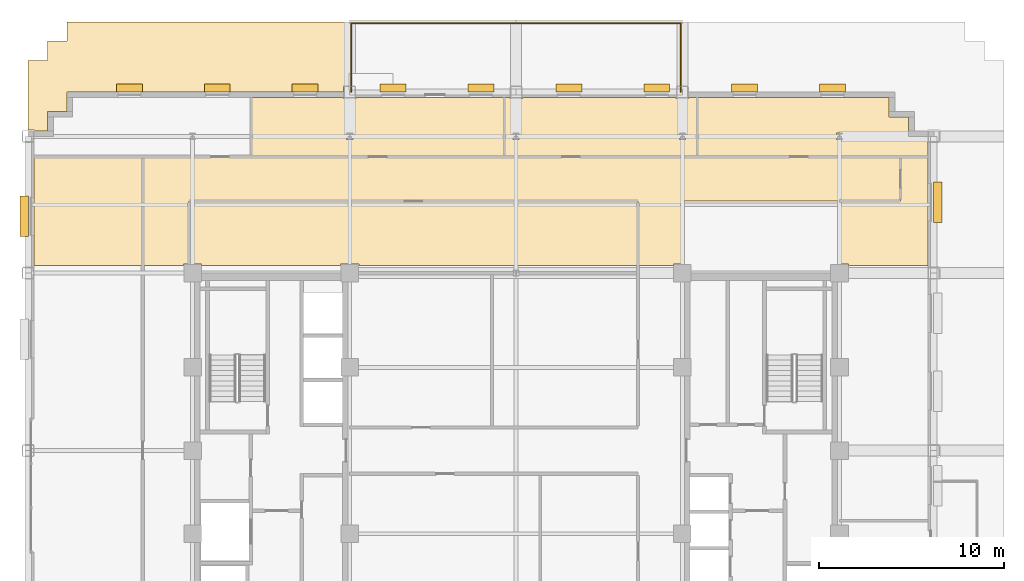
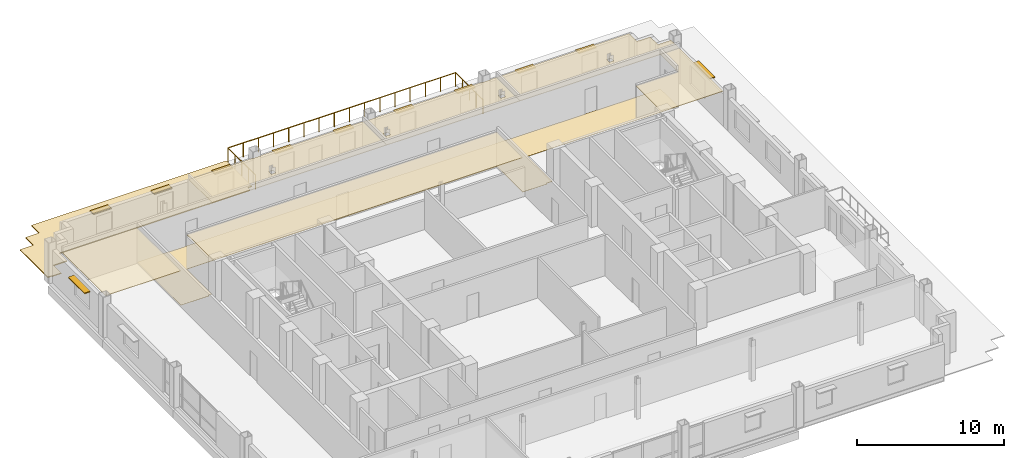
# One storey, part 17 of 17: 11 shading devices, 8 coverings, 1 railing.
"""IFC4 building model written with IfcOpenShell, lengths in metres."""

from ifc_helpers import new_model, si_unit, direction, frame, origin, origin_2d, place, context, subcontext, project, spatial, polyline, rectangle, circle, outline, extrude, source, transform, mapped, material, layer, layer_set, type_object, type_shapes, element, save


model = new_model("IFC4")

# Units and contexts
model_context = context("Model", 3, precision=1e-05, world=origin(), true_north=direction((0.0, 1.0)))
body_context = subcontext(model_context, "Body", "Model", "MODEL_VIEW")
ifc_project = project(units=[si_unit("LENGTHUNIT", "METRE"), si_unit("AREAUNIT", "SQUARE_METRE"), si_unit("VOLUMEUNIT", "CUBIC_METRE"), si_unit("PLANEANGLEUNIT", "RADIAN"), si_unit("MASSUNIT", "GRAM", prefix="KILO")], contexts=[model_context])

# Site, building, storey
site_placement = place(None, origin())
site = spatial("IfcSite", under=ifc_project, at=site_placement, CompositionType="ELEMENT")
building_placement = place(site_placement, origin())
building = spatial("IfcBuilding", under=site, at=building_placement, Name="Nuvemarco Arch Tower", CompositionType="ELEMENT")
storey_placement = place(building_placement, frame((0.0, 0.0, 167.64990234375)))
storey = spatial("IfcBuildingStorey", under=building, at=storey_placement, Name="L44", CompositionType="ELEMENT", Elevation=167.64990234375)

# Coverings
ifc_material_1 = material(Name="Mineral acoustic ceiling tile")
ifc_layer_1 = layer(ifc_material_1, 0.0400390625, Name="COV-ACOUSTIC-CLG")
ifc_layer_set_1 = layer_set([ifc_layer_1], Name="Mineral acoustic ceiling tile")
covering_type_1 = type_object("IfcCoveringType", Name="COV-ACOUSTIC-CLG", PredefinedType="CEILING", material=ifc_layer_set_1)
covering_1_placement = place(storey_placement, frame((0.0, 0.0, 2.85009765625)))
element("IfcCovering", 1, at=covering_1_placement, inside=storey, type_object=covering_type_1, Name="L44 suspended acoustic ceiling 2", PredefinedType="CEILING", context=body_context, shape_type="SweptSolid", body=[
    extrude(outline(polyline([(-26.090087890625, 15.89990234375), (-20.199951171875, 15.89990234375), (-20.199951171875, 13.5), (-20.199951171875, 10.0), (-26.090087890625, 10.0), (-26.090087890625, 15.89990234375)])), origin(), (0.0, 0.0, 1.0), 0.0400390625),
])
covering_2_placement = place(storey_placement, frame((0.0, 0.0, 2.85009765625)))
element("IfcCovering", 2, at=covering_2_placement, inside=storey, type_object=covering_type_1, Name="L44 suspended acoustic ceiling 4", PredefinedType="CEILING", context=body_context, shape_type="SweptSolid", body=[
    extrude(outline(polyline([(6.60009765625, 13.5), (6.60009765625, 10.0), (-8.510009765625, 10.0), (-8.510009765625, 10.090087890625), (-9.489990234375, 10.090087890625), (-9.489990234375, 10.0), (-17.010009765625, 10.0), (-17.010009765625, 10.090087890625), (-17.699951171875, 10.090087890625), (-17.699951171875, 13.5), (6.60009765625, 13.5)])), origin(), (0.0, 0.0, 1.0), 0.0400390625),
])
covering_3_placement = place(storey_placement, frame((0.0, 0.0, 2.85009765625)))
element("IfcCovering", 3, at=covering_3_placement, inside=storey, type_object=covering_type_1, Name="L44 suspended acoustic ceiling 5", PredefinedType="CEILING", context=body_context, shape_type="SweptSolid", body=[
    extrude(outline(polyline([(17.989990234375, 10.090087890625), (17.5, 10.090087890625), (17.5, 13.5), (20.800048828125, 13.5), (20.800048828125, 15.89990234375), (22.2900390625, 15.89990234375), (22.2900390625, 10.0), (17.989990234375, 10.0), (17.989990234375, 10.090087890625)])), origin(), (0.0, 0.0, 1.0), 0.0400390625),
])
covering_4_placement = place(storey_placement, frame((0.0, 0.0, 2.85009765625)))
element("IfcCovering", 4, at=covering_4_placement, inside=storey, type_object=covering_type_1, Name="L44 suspended acoustic ceiling 7", PredefinedType="CEILING", context=body_context, shape_type="SweptSolid", body=[
    extrude(outline(polyline([(-0.64990234375, 15.89990234375), (-14.330078125, 15.89990234375), (-14.330078125, 19.090087890625), (-9.340087890625, 19.090087890625), (-9.340087890625, 19.06005859375), (-8.659912109375, 19.06005859375), (-8.659912109375, 19.090087890625), (-0.64990234375, 19.090087890625), (-0.64990234375, 15.89990234375)]), holes=[polyline([(-8.830078125, 16.830078125), (-8.830078125, 17.169921875), (-9.169921875, 17.169921875), (-9.169921875, 16.830078125), (-8.830078125, 16.830078125)])]), origin(), (0.0, 0.0, 1.0), 0.0400390625),
])
covering_5_placement = place(storey_placement, frame((0.0, 0.0, 2.85009765625)))
element("IfcCovering", 5, at=covering_5_placement, inside=storey, type_object=covering_type_1, Name="L44 suspended acoustic ceiling 8", PredefinedType="CEILING", context=body_context, shape_type="SweptSolid", body=[
    extrude(outline(polyline([(22.260009765625, 16.989990234375), (22.260009765625, 16.659912109375), (22.2900390625, 16.659912109375), (22.2900390625, 15.89990234375), (20.800048828125, 15.89990234375), (9.81005859375, 15.89990234375), (9.81005859375, 19.090087890625), (20.18994140625, 19.090087890625), (20.18994140625, 18.0400390625), (21.239990234375, 18.0400390625), (21.239990234375, 16.989990234375), (22.260009765625, 16.989990234375)]), holes=[polyline([(17.669921875, 16.830078125), (17.669921875, 17.169921875), (17.330078125, 17.169921875), (17.330078125, 16.830078125), (17.669921875, 16.830078125)])]), origin(), (0.0, 0.0, 1.0), 0.0400390625),
])
covering_6_placement = place(storey_placement, frame((0.0, 0.0, 2.85009765625)))
element("IfcCovering", 6, at=covering_6_placement, inside=storey, type_object=covering_type_1, Name="L44 suspended acoustic ceiling 9", PredefinedType="CEILING", context=body_context, shape_type="SweptSolid", body=[
    extrude(outline(polyline([(-0.340087890625, 19.090087890625), (-0.340087890625, 19.06005859375), (0.340087890625, 19.06005859375), (0.340087890625, 19.090087890625), (8.659912109375, 19.090087890625), (8.659912109375, 19.06005859375), (9.340087890625, 19.06005859375), (9.340087890625, 19.090087890625), (9.81005859375, 19.090087890625), (9.81005859375, 15.89990234375), (9.0, 15.89990234375), (6.60009765625, 15.89990234375), (-0.64990234375, 15.89990234375), (-0.64990234375, 19.090087890625), (-0.340087890625, 19.090087890625)]), holes=[polyline([(0.169921875, 16.830078125), (0.169921875, 17.169921875), (-0.169921875, 17.169921875), (-0.169921875, 16.830078125), (0.169921875, 16.830078125)]), polyline([(9.169921875, 17.169921875), (8.830078125, 17.169921875), (8.830078125, 16.830078125), (9.169921875, 16.830078125), (9.169921875, 17.169921875)])]), origin(), (0.0, 0.0, 1.0), 0.0400390625),
])
ifc_material_2 = material(Name="Polished granite terrazzostone flooring", Category="masonry")
ifc_layer_2 = layer(ifc_material_2, 0.02001953125, Name="COV-LOBBY-FLR")
ifc_layer_set_2 = layer_set([ifc_layer_2], Name="Polished granite terrazzostone flooring")
covering_type_2 = type_object("IfcCoveringType", Name="COV-LOBBY-FLR", PredefinedType="FLOORING", material=ifc_layer_set_2)
covering_7_placement = place(storey_placement, origin())
element("IfcCovering", 7, at=covering_7_placement, inside=storey, type_object=covering_type_2, Name="L44 polished terrazzo lobby flooring", PredefinedType="FLOORING", context=body_context, shape_type="SweptSolid", body=[
    extrude(outline(polyline([(-20.199951171875, 13.5), (-20.199951171875, 15.89990234375), (-17.699951171875, 15.89990234375), (6.60009765625, 15.89990234375), (9.0, 15.89990234375), (20.800048828125, 15.89990234375), (20.800048828125, 13.5), (9.0, 13.5), (9.0, 10.090087890625), (8.510009765625, 10.090087890625), (8.510009765625, 10.0), (6.60009765625, 10.0), (6.60009765625, 13.5), (-17.699951171875, 13.5), (-17.699951171875, 10.090087890625), (-17.989990234375, 10.090087890625), (-17.989990234375, 10.0), (-20.199951171875, 10.0), (-20.199951171875, 13.5)])), origin(), (0.0, 0.0, 1.0), 0.02001953125),
])
ifc_material_3 = material(Name="Elastomeric roofing membrane and insulation")
ifc_layer_3 = layer(ifc_material_3, 0.080078125, Name="COV-ROOF-MEMB")
ifc_layer_set_3 = layer_set([ifc_layer_3], Name="Elastomeric roofing membrane and insulation")
covering_type_3 = type_object("IfcCoveringType", Name="COV-ROOF-MEMB", PredefinedType="ROOFING", material=ifc_layer_set_3)
covering_8_placement = place(storey_placement, origin())
element("IfcCovering", 8, at=covering_8_placement, inside=storey, type_object=covering_type_3, Name="L44 setback roof elastomeric membrane and insulation 2", PredefinedType="ROOFING", context=body_context, shape_type="SweptSolid", body=[
    extrude(outline(polyline([(-26.39990234375, 21.10009765625), (-25.35009765625, 21.10009765625), (-25.35009765625, 22.14990234375), (-24.300048828125, 22.14990234375), (-24.300048828125, 23.199951171875), (-9.0, 23.199951171875), (-9.0, 19.735107421875), (-9.3349609375, 19.735107421875), (-9.3349609375, 19.39990234375), (-24.300048828125, 19.39990234375), (-24.300048828125, 18.35009765625), (-25.35009765625, 18.35009765625), (-25.35009765625, 17.300048828125), (-26.06494140625, 17.300048828125), (-26.06494140625, 17.3349609375), (-26.39990234375, 17.3349609375), (-26.39990234375, 21.10009765625)])), origin(), (0.0, 0.0, 1.0), 0.080078125),
])

# Railing
ifc_material_4 = material(Name="Dark anodised balustrade steel S355", Category="steel")
railing_type = type_object("IfcRailingType", Name="RL-SETBACK-GUARD", PredefinedType="BALUSTRADE", material=ifc_material_4)
railing_placement = place(storey_placement, frame((-8.919921875, 19.39990234375, 0.0)))
element("IfcRailing", 9, at=railing_placement, inside=storey, type_object=railing_type, Name="L44 setback terrace perimeter balustrade guard", PredefinedType="BALUSTRADE", context=body_context, shape_type="SweptSolid", body=[
    extrude(circle(Radius=0.02392578125, at=origin_2d()), frame((0.0, 0.0, 1.15576171875), z_axis=(0.0, 1.0, 0.0), x_axis=(-1.0, 0.0, 0.0)), (0.0, 0.0, 1.0), 3.72021484375),
    extrude(circle(Radius=0.02392578125, at=origin_2d()), frame((0.0, 3.72021484375, 1.15576171875), z_axis=(1.0, 0.0, 0.0), x_axis=(0.0, 1.0, 0.0)), (0.0, 0.0, 1.0), 17.83984375),
    extrude(circle(Radius=0.02392578125, at=origin_2d()), frame((17.83984375, 3.72021484375, 1.15576171875), z_axis=(0.0, -1.0, 0.0), x_axis=(1.0, 0.0, 0.0)), (0.0, 0.0, 1.0), 3.72021484375),
    extrude(circle(Radius=0.02099609375, at=origin_2d()), origin(), (0.0, 0.0, 1.0), 1.1318359375),
    extrude(circle(Radius=0.02099609375, at=origin_2d()), frame((0.0, 0.93017578125, 0.0)), (0.0, 0.0, 1.0), 1.1318359375),
    extrude(circle(Radius=0.02099609375, at=origin_2d()), frame((0.0, 1.860107421875, 0.0)), (0.0, 0.0, 1.0), 1.1318359375),
    extrude(circle(Radius=0.02099609375, at=origin_2d()), frame((0.0, 2.7900390625, 0.0)), (0.0, 0.0, 1.0), 1.1318359375),
    extrude(circle(Radius=0.02099609375, at=origin_2d()), frame((0.0, 3.72021484375, 0.0)), (0.0, 0.0, 1.0), 1.1318359375),
    extrude(circle(Radius=0.02099609375, at=origin_2d()), frame((1.189208984375, 3.72021484375, 0.0)), (0.0, 0.0, 1.0), 1.1318359375),
    extrude(circle(Radius=0.02099609375, at=origin_2d()), frame((2.378662109375, 3.72021484375, 0.0)), (0.0, 0.0, 1.0), 1.1318359375),
    extrude(circle(Radius=0.02099609375, at=origin_2d()), frame((3.56787109375, 3.72021484375, 0.0)), (0.0, 0.0, 1.0), 1.1318359375),
    extrude(circle(Radius=0.02099609375, at=origin_2d()), frame((4.75732421875, 3.72021484375, 0.0)), (0.0, 0.0, 1.0), 1.1318359375),
    extrude(circle(Radius=0.02099609375, at=origin_2d()), frame((5.946533203125, 3.72021484375, 0.0)), (0.0, 0.0, 1.0), 1.1318359375),
    extrude(circle(Radius=0.02099609375, at=origin_2d()), frame((7.135986328125, 3.72021484375, 0.0)), (0.0, 0.0, 1.0), 1.1318359375),
    extrude(circle(Radius=0.02099609375, at=origin_2d()), frame((8.3251953125, 3.72021484375, 0.0)), (0.0, 0.0, 1.0), 1.1318359375),
    extrude(circle(Radius=0.02099609375, at=origin_2d()), frame((9.5146484375, 3.72021484375, 0.0)), (0.0, 0.0, 1.0), 1.1318359375),
    extrude(circle(Radius=0.02099609375, at=origin_2d()), frame((10.703857421875, 3.72021484375, 0.0)), (0.0, 0.0, 1.0), 1.1318359375),
    extrude(circle(Radius=0.02099609375, at=origin_2d()), frame((11.893310546875, 3.72021484375, 0.0)), (0.0, 0.0, 1.0), 1.1318359375),
    extrude(circle(Radius=0.02099609375, at=origin_2d()), frame((13.08251953125, 3.72021484375, 0.0)), (0.0, 0.0, 1.0), 1.1318359375),
    extrude(circle(Radius=0.02099609375, at=origin_2d()), frame((14.27197265625, 3.72021484375, 0.0)), (0.0, 0.0, 1.0), 1.1318359375),
    extrude(circle(Radius=0.02099609375, at=origin_2d()), frame((15.461181640625, 3.72021484375, 0.0)), (0.0, 0.0, 1.0), 1.1318359375),
    extrude(circle(Radius=0.02099609375, at=origin_2d()), frame((16.650634765625, 3.72021484375, 0.0)), (0.0, 0.0, 1.0), 1.1318359375),
    extrude(circle(Radius=0.02099609375, at=origin_2d()), frame((17.83984375, 3.72021484375, 0.0)), (0.0, 0.0, 1.0), 1.1318359375),
    extrude(circle(Radius=0.02099609375, at=origin_2d()), frame((17.83984375, 2.7900390625, 0.0)), (0.0, 0.0, 1.0), 1.1318359375),
    extrude(circle(Radius=0.02099609375, at=origin_2d()), frame((17.83984375, 1.860107421875, 0.0)), (0.0, 0.0, 1.0), 1.1318359375),
    extrude(circle(Radius=0.02099609375, at=origin_2d()), frame((17.83984375, 0.93017578125, 0.0)), (0.0, 0.0, 1.0), 1.1318359375),
    extrude(circle(Radius=0.02099609375, at=origin_2d()), frame((17.83984375, 0.0, 0.0)), (0.0, 0.0, 1.0), 1.1318359375),
])

# Shading devices
ifc_material_5 = material(Name="Anodised aluminium 6063-T6", Category="aluminium")
shading_device_type_1 = type_object("IfcShadingDeviceType", Name="SHD-BRISE-SOLEIL", PredefinedType="USERDEFINED", material=ifc_material_5)
shared_shape_1 = source(origin(), body_context, "Body", "SweptSolid", [
    extrude(rectangle(XDim=2.199951171875, YDim=0.449951171875, at=origin_2d()), origin(), (0.0, 0.0, 1.0), 0.080078125),
])
type_shapes(shading_device_type_1, [shared_shape_1])
for number, where, z_axis, x_axis, name in (
    (10, (22.81494140625, 13.437744140625, 2.324951171875), (0.0, 0.0, 1.0), (0.0, 1.0, 0.0), "L44 horizontal brise-soleil sunshade"),
    (11, (-26.614990234375, 12.67041015625, 2.324951171875), (0.0, 0.0, 1.0), (0.0, 1.0, 0.0), "L44 horizontal brise-soleil sunshade"),
):
    element("IfcShadingDevice", number, at=place(storey_placement, frame(where, z_axis=z_axis, x_axis=x_axis)), inside=storey, type_object=shading_device_type_1, Name=name, ObjectType="SUNSHADE", PredefinedType="USERDEFINED", context=body_context, shape_type="MappedRepresentation", body=[
        mapped(shared_shape_1, transform((0.0, 0.0, 0.0), scale=1.0)),
    ])
shading_device_type_2 = type_object("IfcShadingDeviceType", Name="SHD-BRISE-NARROW", PredefinedType="USERDEFINED", material=ifc_material_5)
shared_shape_2 = source(origin(), body_context, "Body", "SweptSolid", [
    extrude(rectangle(XDim=1.39990234375, YDim=0.449951171875, at=origin_2d()), origin(), (0.0, 0.0, 1.0), 0.080078125),
])
type_shapes(shading_device_type_2, [shared_shape_2])
for number, where, z_axis, x_axis, name in (
    (12, (-20.922119140625, 19.614990234375, 2.324951171875), (0.0, 0.0, 1.0), (1.0, 0.0, 0.0), "L44 horizontal brise-soleil sunshade"),
    (13, (-16.166748046875, 19.614990234375, 2.324951171875), (0.0, 0.0, 1.0), (1.0, 0.0, 0.0), "L44 horizontal brise-soleil sunshade"),
    (14, (-11.4111328125, 19.614990234375, 2.324951171875), (0.0, 0.0, 1.0), (1.0, 0.0, 0.0), "L44 horizontal brise-soleil sunshade"),
    (15, (-6.655517578125, 19.614990234375, 2.324951171875), (0.0, 0.0, 1.0), (1.0, 0.0, 0.0), "L44 horizontal brise-soleil sunshade"),
    (16, (-1.89990234375, 19.614990234375, 2.324951171875), (0.0, 0.0, 1.0), (1.0, 0.0, 0.0), "L44 horizontal brise-soleil sunshade"),
    (17, (2.855712890625, 19.614990234375, 2.324951171875), (0.0, 0.0, 1.0), (1.0, 0.0, 0.0), "L44 horizontal brise-soleil sunshade"),
    (18, (7.611083984375, 19.614990234375, 2.324951171875), (0.0, 0.0, 1.0), (1.0, 0.0, 0.0), "L44 horizontal brise-soleil sunshade"),
    (19, (12.36669921875, 19.614990234375, 2.324951171875), (0.0, 0.0, 1.0), (1.0, 0.0, 0.0), "L44 horizontal brise-soleil sunshade"),
    (20, (17.122314453125, 19.614990234375, 2.324951171875), (0.0, 0.0, 1.0), (1.0, 0.0, 0.0), "L44 horizontal brise-soleil sunshade"),
):
    element("IfcShadingDevice", number, at=place(storey_placement, frame(where, z_axis=z_axis, x_axis=x_axis)), inside=storey, type_object=shading_device_type_2, Name=name, ObjectType="SUNSHADE", PredefinedType="USERDEFINED", context=body_context, shape_type="MappedRepresentation", body=[
        mapped(shared_shape_2, transform((0.0, 0.0, 0.0), scale=1.0)),
    ])

save(model, "model.ifc")
